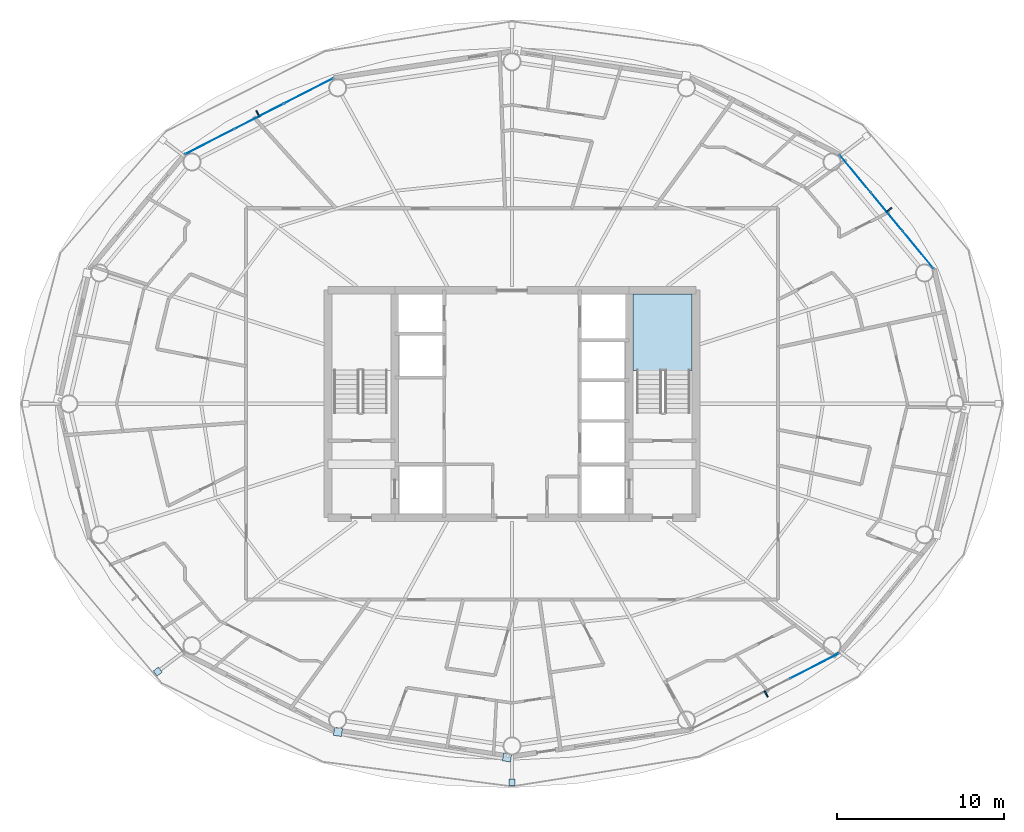
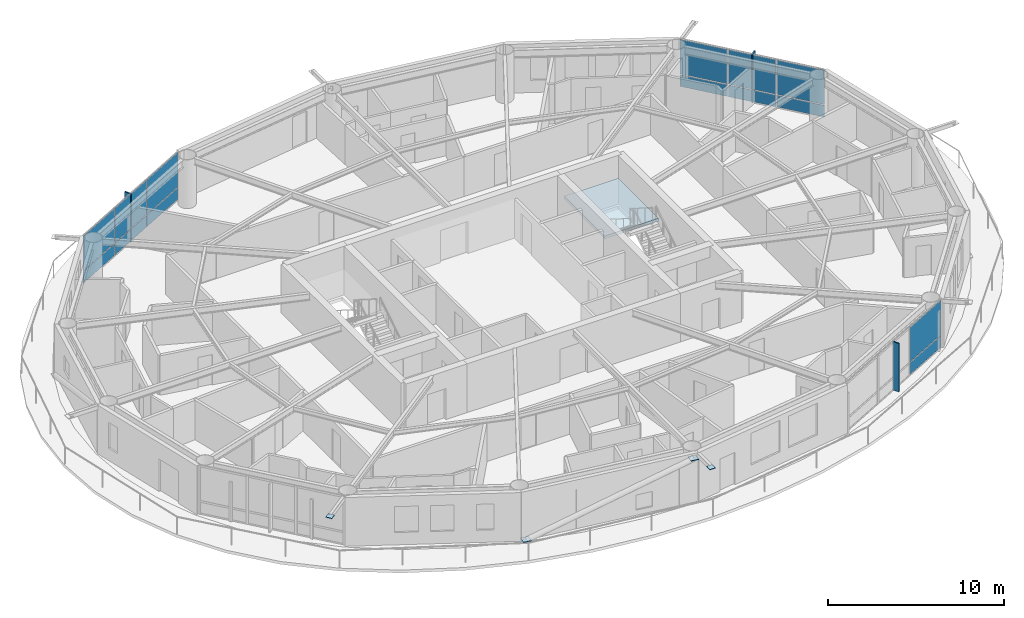
# One storey, part 19 of 30: 21 plates, 1 slab, 4 elements without a shape of their own.
"""IFC4 building model written with IfcOpenShell, lengths in metres."""

import ifcopenshell
import ifcopenshell.guid

model = None  # the IFC model being written
_history = None  # IfcOwnerHistory: only IFC2X3 demands one
_inside = {}  # id of a spatial element -> (the spatial element, [elements in it])
_under = {}  # id of a project, library or spatial element -> (it, [spatial elements below it])
_declared = {}  # id of a project -> (the project, [libraries it declares])
_typed = {}  # id of a type object -> (the type object, [elements of that type])
_made_of = {}  # id of a material, layer set ... -> (it, [elements and type objects made of it])


def new_model(schema):
    """Start an empty IFC model of exactly this schema.

    Asked for "IFC4X3", IfcOpenShell would pick the latest addendum, in which some entities
    have other attributes; the version numbers below select the first issue.
    IFC2X3 requires an IfcOwnerHistory on every rooted entity: one is made here for all.
    """
    global model, _history
    if schema == "IFC4X3":
        model = ifcopenshell.file(schema_version=(4, 3, 0, 0))
    else:
        model = ifcopenshell.file(schema=schema)
    _inside.clear()
    _under.clear()
    _declared.clear()
    _typed.clear()
    _made_of.clear()
    _history = None
    if model.schema == "IFC2X3":
        org = make("IfcOrganization", Name="unknown")
        user = make(
            "IfcPersonAndOrganization",
            ThePerson=make("IfcPerson", FamilyName="unknown"),
            TheOrganization=org,
        )
        app = make(
            "IfcApplication",
            ApplicationDeveloper=org,
            Version="unknown",
            ApplicationFullName="unknown",
            ApplicationIdentifier="unknown",
        )
        _history = make(
            "IfcOwnerHistory",
            OwningUser=user,
            OwningApplication=app,
            ChangeAction="ADDED",
            CreationDate=0,
        )
    return model


def make(cls, **values):
    """One entity of the class cls with the attributes given. An attribute that is None is left unset."""
    return model.create_entity(
        cls, **{name: value for name, value in values.items() if value is not None}
    )


def rooted(cls, **values):
    """An entity with a GlobalId (a new one), such as an element, a storey or a relation."""
    return make(cls, GlobalId=ifcopenshell.guid.new(), OwnerHistory=_history, **values)


def si_unit(unit_type, name, prefix=None):
    """IfcSIUnit, for example si_unit("LENGTHUNIT", "METRE", prefix="MILLI")."""
    return make("IfcSIUnit", UnitType=unit_type, Prefix=prefix, Name=name)


def assignment(units):
    """IfcUnitAssignment: the units of a project."""
    return None if units is None else make("IfcUnitAssignment", Units=units)


def point(xyz):
    """IfcCartesianPoint."""
    return None if xyz is None else make("IfcCartesianPoint", Coordinates=xyz)


def direction(xyz):
    """IfcDirection."""
    return None if xyz is None else make("IfcDirection", DirectionRatios=xyz)


def frame(location, z_axis=None, x_axis=None):
    """IfcAxis2Placement3D, a coordinate frame: its origin and axes. An axis left out is left unset."""
    return make(
        "IfcAxis2Placement3D",
        Location=point(location),
        Axis=direction(z_axis),
        RefDirection=direction(x_axis),
    )


def frame_2d(location, x_axis=None):
    """IfcAxis2Placement2D, a coordinate frame in the plane: its origin and x axis."""
    return make(
        "IfcAxis2Placement2D", Location=point(location), RefDirection=direction(x_axis)
    )


def origin():
    """The frame at (0, 0, 0) with its axes left unset."""
    return frame((0.0, 0.0, 0.0))


def origin_2d():
    """The frame at (0, 0) in the plane with its x axis left unset."""
    return frame_2d((0.0, 0.0))


def place(relative_to, where):
    """IfcLocalPlacement: puts the frame where relative to a parent placement (None: the world)."""
    return make(
        "IfcLocalPlacement", PlacementRelTo=relative_to, RelativePlacement=where
    )


def context(
    kind, dimensions, precision=None, world=None, true_north=None, identifier=None
):
    """IfcGeometricRepresentationContext, for example the 3D "Model" context."""
    return make(
        "IfcGeometricRepresentationContext",
        ContextIdentifier=identifier,
        ContextType=kind,
        CoordinateSpaceDimension=dimensions,
        Precision=precision,
        WorldCoordinateSystem=world,
        TrueNorth=true_north,
    )


def subcontext(parent, identifier, kind, view, scale=None):
    """IfcGeometricRepresentationSubContext, for example "Body" below "Model"."""
    return make(
        "IfcGeometricRepresentationSubContext",
        ContextIdentifier=identifier,
        ContextType=kind,
        ParentContext=parent,
        TargetScale=scale,
        TargetView=view,
    )


def project(units=None, contexts=None):
    """IfcProject with its units and contexts."""
    return rooted(
        "IfcProject",
        Name="project",
        RepresentationContexts=contexts,
        UnitsInContext=assignment(units),
    )


def spatial(cls, under=None, at=None, **own):
    """A site, building, storey or space (cls), placed at a placement, below another one or the project."""
    s = rooted(cls, ObjectPlacement=at, **own)
    if under is not None:
        _under.setdefault(under.id(), (under, []))[1].append(s)
    return s


def polyline(points):
    """IfcPolyline through the points."""
    return make("IfcPolyline", Points=[point(p) for p in points])


def profile(cls, at=None, kind="AREA", **sizes):
    """A parametric profile (cls). Its sizes go by their IFC names, for example OverallWidth=200.0."""
    return make(cls, ProfileType=kind, Position=at, **sizes)


def rectangle(**sizes):
    """IfcRectangleProfileDef."""
    return profile("IfcRectangleProfileDef", **sizes)


def outline(outer, holes=None, kind="AREA"):
    """IfcArbitraryClosedProfileDef: a profile drawn as a closed curve; with holes, ...WithVoids."""
    if holes is None:
        return make("IfcArbitraryClosedProfileDef", ProfileType=kind, OuterCurve=outer)
    return make(
        "IfcArbitraryProfileDefWithVoids",
        ProfileType=kind,
        OuterCurve=outer,
        InnerCurves=holes,
    )


def extrude(swept, where, along, depth):
    """IfcExtrudedAreaSolid: the profile swept, set in the frame where, extruded along a direction by depth."""
    return make(
        "IfcExtrudedAreaSolid",
        SweptArea=swept,
        Position=where,
        ExtrudedDirection=direction(along),
        Depth=depth,
    )


def shape(context_of_items, identifier, shape_type, items):
    """IfcShapeRepresentation: the items that make up one representation, for example the "Body"."""
    return make(
        "IfcShapeRepresentation",
        ContextOfItems=context_of_items,
        RepresentationIdentifier=identifier,
        RepresentationType=shape_type,
        Items=items,
    )


def material(Name=None, Category=None):
    """IfcMaterial."""
    return make("IfcMaterial", Name=Name, Category=Category)


def layer(
    of_material, thickness, ventilated=None, Name=None, Category=None, Priority=None
):
    """IfcMaterialLayer: one layer of a wall or slab, of a material (None: an air gap)."""
    return make(
        "IfcMaterialLayer",
        Material=of_material,
        LayerThickness=thickness,
        IsVentilated=ventilated,
        Name=Name,
        Category=Category,
        Priority=Priority,
    )


def layer_set(layers, Name=None):
    """IfcMaterialLayerSet."""
    return make("IfcMaterialLayerSet", MaterialLayers=layers, LayerSetName=Name)


def made_of(thing, what):
    """Note that an element or type object is made of a material, layer set ...; save() writes the relation."""
    if what is not None:
        _made_of.setdefault(what.id(), (what, []))[1].append(thing)
    return thing


def type_object(cls, material=None, **own):
    """A type object (cls), such as IfcWallType, which elements share."""
    return made_of(rooted(cls, **own), material)


def element(
    cls,
    number,
    at=None,
    inside=None,
    cuts=None,
    type_object=None,
    material=None,
    context=None,
    identifier="Body",
    shape_type=None,
    held_by="IfcProductDefinitionShape",
    body=None,
    shapes=None,
    **own,
):
    """One element of the class cls, such as IfcWall. Its Tag is "e" and its number.

    at: its placement. inside: the storey or other place that contains it. cuts: it is an
    opening in that element (IfcRelVoidsElement). A single representation is given by context,
    identifier, shape_type and body (its items); several are given by shapes. held_by: the class
    of the entity that holds the representations. save() writes the other relations.
    """
    e = rooted(cls, Tag="e%d" % number, ObjectPlacement=at, **own)
    if body is not None:
        shapes = [shape(context, identifier, shape_type, body)]
    if shapes is not None:
        e.Representation = make(held_by, Representations=shapes)
    if inside is not None:
        _inside.setdefault(inside.id(), (inside, []))[1].append(e)
    if cuts is not None:
        rooted(
            "IfcRelVoidsElement", RelatingBuildingElement=cuts, RelatedOpeningElement=e
        )
    if type_object is not None:
        _typed.setdefault(type_object.id(), (type_object, []))[1].append(e)
    return made_of(e, material)


def aggregate(whole, parts):
    """IfcRelAggregates: a whole, such as a stair, and the parts it consists of."""
    return rooted("IfcRelAggregates", RelatingObject=whole, RelatedObjects=parts)


def save(model, path):
    """Write the relations noted so far, then the file.

    IfcRelAggregates (storeys below a building ...), IfcRelContainedInSpatialStructure (elements
    in a storey), IfcRelDefinesByType, IfcRelAssociatesMaterial and IfcRelDeclares: one each for
    every whole, place, type object, material and project.
    """
    for whole, parts in _under.values():
        aggregate(whole, parts)
    for where, things in _inside.values():
        rooted(
            "IfcRelContainedInSpatialStructure",
            RelatedElements=things,
            RelatingStructure=where,
        )
    for kind, things in _typed.values():
        rooted("IfcRelDefinesByType", RelatedObjects=things, RelatingType=kind)
    for what, things in _made_of.values():
        rooted("IfcRelAssociatesMaterial", RelatedObjects=things, RelatingMaterial=what)
    for by, libraries in _declared.values():
        rooted("IfcRelDeclares", RelatingContext=by, RelatedDefinitions=libraries)
    model.write(path)


model = new_model("IFC4")

# Units and contexts
model_context = context("Model", 3, precision=1e-05, world=origin(), true_north=direction((0.0, 1.0)))
body_context = subcontext(model_context, "Body", "Model", "MODEL_VIEW")
ifc_project = project(units=[si_unit("LENGTHUNIT", "METRE"), si_unit("AREAUNIT", "SQUARE_METRE"), si_unit("VOLUMEUNIT", "CUBIC_METRE"), si_unit("PLANEANGLEUNIT", "RADIAN"), si_unit("MASSUNIT", "GRAM", prefix="KILO")], contexts=[model_context])

# Site, building, storey
site_placement = place(None, origin())
site = spatial("IfcSite", under=ifc_project, at=site_placement, CompositionType="ELEMENT")
building_placement = place(site_placement, origin())
building = spatial("IfcBuilding", under=site, at=building_placement, Name="Sarneth Arch Tower", CompositionType="ELEMENT")
storey_placement = place(building_placement, frame((0.0, 0.0, 168.60009765625)))
storey = spatial("IfcBuildingStorey", under=building, at=storey_placement, Name="L42", CompositionType="ELEMENT", Elevation=168.60009765625)

# Curtain wall, plates
ifc_material_1 = material(Name="Anodised aluminium Type AA25 and solar-control low-e laminated IGU", Category="aluminium")
ifc_layer_1 = layer(ifc_material_1, 0.169921875)
ifc_layer_set_1 = layer_set([ifc_layer_1], Name="Anodised aluminium Type AA25 and solar-control low-e laminated IGU")
curtain_wall_type = type_object("IfcCurtainWallType", Name="CW-RES-MID", PredefinedType="NOTDEFINED", material=ifc_layer_set_1)
curtain_wall_1_placement = place(storey_placement, origin())
curtain_wall_1 = element("IfcCurtainWall", 1, at=curtain_wall_1_placement, inside=storey, type_object=curtain_wall_type, Name="L42 Unitised curtain wall facet 02", PredefinedType="NOTDEFINED")
ifc_material_2 = material(Name="Solar-control low-e laminated IGU", Category="glass")
ifc_layer_2 = layer(ifc_material_2, 0.028076171875)
ifc_layer_set_2 = layer_set([ifc_layer_2], Name="Solar-control low-e laminated IGU")
plate_type_1 = type_object("IfcPlateType", Name="CW-PANEL", PredefinedType="CURTAIN_PANEL", material=ifc_layer_set_2)
plate_1_placement = place(storey_placement, frame((72.280029296875, 51.21826171875, 0.059814453125), z_axis=(0.0, 0.0, 1.0), x_axis=(-0.637330298558, 0.770590741276, 0.0)))
plate_1 = element("IfcPlate", 2, at=plate_1_placement, type_object=plate_type_1, Name="Curtain wall glazed vision pane CW-L42-F02/P00-00", PredefinedType="CURTAIN_PANEL", context=body_context, shape_type="SweptSolid", body=[
    extrude(rectangle(XDim=2.8681640625, YDim=0.028076171875, at=origin_2d()), origin(), (0.0, 0.0, 1.0), 0.81005859375),
])
plate_2_placement = place(storey_placement, frame((72.280029296875, 51.21826171875, 0.93017578125), z_axis=(0.0, 0.0, 1.0), x_axis=(-0.637330298558, 0.770590741276, 0.0)))
plate_2 = element("IfcPlate", 3, at=plate_2_placement, type_object=plate_type_1, Name="Curtain wall glazed vision pane CW-L42-F02/P00-01", PredefinedType="CURTAIN_PANEL", context=body_context, shape_type="SweptSolid", body=[
    extrude(rectangle(XDim=2.8681640625, YDim=0.028076171875, at=origin_2d()), origin(), (0.0, 0.0, 1.0), 2.389892578125),
])
plate_3_placement = place(storey_placement, frame((70.404296875, 53.486328125, 0.059814453125), z_axis=(0.0, 0.0, 1.0), x_axis=(-0.637330298558, 0.770590741276, 0.0)))
plate_3 = element("IfcPlate", 4, at=plate_3_placement, type_object=plate_type_1, Name="Curtain wall glazed vision pane CW-L42-F02/P01-00", PredefinedType="CURTAIN_PANEL", context=body_context, shape_type="SweptSolid", body=[
    extrude(rectangle(XDim=2.898193359375, YDim=0.028076171875, at=origin_2d()), origin(), (0.0, 0.0, 1.0), 0.81005859375),
])
plate_4_placement = place(storey_placement, frame((70.404296875, 53.486328125, 0.93017578125), z_axis=(0.0, 0.0, 1.0), x_axis=(-0.637330298558, 0.770590741276, 0.0)))
plate_4 = element("IfcPlate", 5, at=plate_4_placement, type_object=plate_type_1, Name="Curtain wall glazed vision pane CW-L42-F02/P01-01", PredefinedType="CURTAIN_PANEL", context=body_context, shape_type="SweptSolid", body=[
    extrude(rectangle(XDim=2.898193359375, YDim=0.028076171875, at=origin_2d()), origin(), (0.0, 0.0, 1.0), 2.389892578125),
])
plate_5_placement = place(storey_placement, frame((68.5283203125, 55.75439453125, 0.059814453125), z_axis=(0.0, 0.0, 1.0), x_axis=(-0.637330298558, 0.770590741276, 0.0)))
plate_5 = element("IfcPlate", 6, at=plate_5_placement, type_object=plate_type_1, Name="Curtain wall glazed vision pane CW-L42-F02/P02-00", PredefinedType="CURTAIN_PANEL", context=body_context, shape_type="SweptSolid", body=[
    extrude(rectangle(XDim=2.8681640625, YDim=0.028076171875, at=origin_2d()), origin(), (0.0, 0.0, 1.0), 0.81005859375),
])
plate_6_placement = place(storey_placement, frame((68.5283203125, 55.75439453125, 0.93017578125), z_axis=(0.0, 0.0, 1.0), x_axis=(-0.637330298558, 0.770590741276, 0.0)))
plate_6 = element("IfcPlate", 7, at=plate_6_placement, type_object=plate_type_1, Name="Curtain wall glazed vision pane CW-L42-F02/P02-01", PredefinedType="CURTAIN_PANEL", context=body_context, shape_type="SweptSolid", body=[
    extrude(rectangle(XDim=2.8681640625, YDim=0.028076171875, at=origin_2d()), origin(), (0.0, 0.0, 1.0), 2.389892578125),
])
aggregate(curtain_wall_1, [plate_1, plate_2, plate_3, plate_4, plate_5, plate_6])

curtain_wall_2_placement = place(storey_placement, origin())
curtain_wall_2 = element("IfcCurtainWall", 8, at=curtain_wall_2_placement, inside=storey, type_object=curtain_wall_type, Name="L42 Unitised curtain wall facet 06", PredefinedType="NOTDEFINED")
plate_7_placement = place(storey_placement, frame((35.83837890625, 60.70703125, 0.059814453125), z_axis=(0.0, 0.0, 1.0), x_axis=(-0.88987293003, -0.456208470329, 0.0)))
plate_7 = element("IfcPlate", 9, at=plate_7_placement, type_object=plate_type_1, Name="Curtain wall glazed vision pane CW-L42-F06/P00-00", PredefinedType="CURTAIN_PANEL", context=body_context, shape_type="SweptSolid", body=[
    extrude(rectangle(XDim=3.248779296875, YDim=0.028076171875, at=origin_2d()), origin(), (0.0, 0.0, 1.0), 0.81005859375),
])
plate_8_placement = place(storey_placement, frame((35.83837890625, 60.70703125, 0.93017578125), z_axis=(0.0, 0.0, 1.0), x_axis=(-0.88987293003, -0.456208470329, 0.0)))
plate_8 = element("IfcPlate", 10, at=plate_8_placement, type_object=plate_type_1, Name="Curtain wall glazed vision pane CW-L42-F06/P00-01", PredefinedType="CURTAIN_PANEL", context=body_context, shape_type="SweptSolid", body=[
    extrude(rectangle(XDim=3.248779296875, YDim=0.028076171875, at=origin_2d()), origin(), (0.0, 0.0, 1.0), 2.389892578125),
])
plate_9_placement = place(storey_placement, frame((32.880615234375, 59.190673828125, 0.059814453125), z_axis=(0.0, 0.0, 1.0), x_axis=(-0.88987293003, -0.456208470329, 0.0)))
plate_9 = element("IfcPlate", 11, at=plate_9_placement, type_object=plate_type_1, Name="Curtain wall glazed vision pane CW-L42-F06/P01-00", PredefinedType="CURTAIN_PANEL", context=body_context, shape_type="SweptSolid", body=[
    extrude(rectangle(XDim=3.27880859375, YDim=0.028076171875, at=origin_2d()), origin(), (0.0, 0.0, 1.0), 0.81005859375),
])
plate_10_placement = place(storey_placement, frame((32.880615234375, 59.190673828125, 0.93017578125), z_axis=(0.0, 0.0, 1.0), x_axis=(-0.88987293003, -0.456208470329, 0.0)))
plate_10 = element("IfcPlate", 12, at=plate_10_placement, type_object=plate_type_1, Name="Curtain wall glazed vision pane CW-L42-F06/P01-01", PredefinedType="CURTAIN_PANEL", context=body_context, shape_type="SweptSolid", body=[
    extrude(rectangle(XDim=3.27880859375, YDim=0.028076171875, at=origin_2d()), origin(), (0.0, 0.0, 1.0), 2.389892578125),
])
plate_11_placement = place(storey_placement, frame((29.9228515625, 57.67431640625, 0.059814453125), z_axis=(0.0, 0.0, 1.0), x_axis=(-0.88987293003, -0.456208470329, 0.0)))
plate_11 = element("IfcPlate", 13, at=plate_11_placement, type_object=plate_type_1, Name="Curtain wall glazed vision pane CW-L42-F06/P02-00", PredefinedType="CURTAIN_PANEL", context=body_context, shape_type="SweptSolid", body=[
    extrude(rectangle(XDim=3.248779296875, YDim=0.028076171875, at=origin_2d()), origin(), (0.0, 0.0, 1.0), 0.81005859375),
])
plate_12_placement = place(storey_placement, frame((29.9228515625, 57.67431640625, 0.93017578125), z_axis=(0.0, 0.0, 1.0), x_axis=(-0.88987293003, -0.456208470329, 0.0)))
plate_12 = element("IfcPlate", 14, at=plate_12_placement, type_object=plate_type_1, Name="Curtain wall glazed vision pane CW-L42-F06/P02-01", PredefinedType="CURTAIN_PANEL", context=body_context, shape_type="SweptSolid", body=[
    extrude(rectangle(XDim=3.248779296875, YDim=0.028076171875, at=origin_2d()), origin(), (0.0, 0.0, 1.0), 2.389892578125),
])
aggregate(curtain_wall_2, [plate_7, plate_8, plate_9, plate_10, plate_11, plate_12])

curtain_wall_3_placement = place(storey_placement, origin())
curtain_wall_3 = element("IfcCurtainWall", 15, at=curtain_wall_3_placement, inside=storey, type_object=curtain_wall_type, Name="L42 Unitised curtain wall facet 14", PredefinedType="NOTDEFINED")
plate_13_placement = place(storey_placement, frame((66.0771484375, 26.32568359375, 0.059814453125), z_axis=(0.0, 0.0, 1.0), x_axis=(0.88987293003, 0.456208470329, 0.0)))
plate_13 = element("IfcPlate", 16, at=plate_13_placement, type_object=plate_type_1, Name="Curtain wall glazed vision pane CW-L42-F14/P02-00", PredefinedType="CURTAIN_PANEL", context=body_context, shape_type="SweptSolid", body=[
    extrude(rectangle(XDim=3.248779296875, YDim=0.028076171875, at=origin_2d()), origin(), (0.0, 0.0, 1.0), 0.81005859375),
])
plate_14_placement = place(storey_placement, frame((66.0771484375, 26.32568359375, 0.93017578125), z_axis=(0.0, 0.0, 1.0), x_axis=(0.88987293003, 0.456208470329, 0.0)))
plate_14 = element("IfcPlate", 17, at=plate_14_placement, type_object=plate_type_1, Name="Curtain wall glazed vision pane CW-L42-F14/P02-01", PredefinedType="CURTAIN_PANEL", context=body_context, shape_type="SweptSolid", body=[
    extrude(rectangle(XDim=3.248779296875, YDim=0.028076171875, at=origin_2d()), origin(), (0.0, 0.0, 1.0), 2.389892578125),
])
aggregate(curtain_wall_3, [plate_13, plate_14])

# Plates
ifc_material_3 = material(Name="Steel S355", Category="steel")
ifc_layer_3 = layer(ifc_material_3, 0.035888671875)
ifc_layer_set_3 = layer_set([ifc_layer_3], Name="Steel S355")
plate_type_2 = type_object("IfcPlateType", Name="PLT-GUSSET-30", PredefinedType="SHEET", material=ifc_layer_set_3)
plate_15_placement = place(storey_placement, frame((26.819091796875, 25.992431640625, 3.2021484375), z_axis=(0.0, 0.0, 1.0), x_axis=(-0.797794439539, -0.602929541689, 0.0)))
element("IfcPlate", 18, at=plate_15_placement, inside=storey, type_object=plate_type_2, Name="Steel end cap plate GP-1", PredefinedType="SHEET", context=body_context, shape_type="SweptSolid", body=[
    extrude(rectangle(XDim=0.3798828125, YDim=0.3798828125, at=origin_2d()), origin(), (0.0, 0.0, 1.0), 0.035888671875),
])
for number, where, z_axis, x_axis, name in (
    (19, (37.595703125, 22.387451171875, 0.001953125), (0.0, 0.0, 1.0), (0.98883454203, -0.149017611339, 0.0), "Steel end cap plate GP-1"),
    (20, (47.703369140625, 20.86474609375, 3.03271484375), (0.0, 0.0, 1.0), (0.98883454203, -0.149017611339, 0.0), "Steel end cap plate GP-1"),
):
    element("IfcPlate", number, at=place(storey_placement, frame(where, z_axis=z_axis, x_axis=x_axis)), inside=storey, type_object=plate_type_2, Name=name, PredefinedType="SHEET", context=body_context, shape_type="SweptSolid", body=[
        extrude(rectangle(XDim=0.486083984375, YDim=0.486083984375, at=origin_2d()), origin(), (0.0, 0.0, 1.0), 0.035888671875),
    ])
plate_16_placement = place(storey_placement, frame((48.0, 19.372802734375, 3.2021484375), z_axis=(0.0, 0.0, 1.0), x_axis=(0.0, -1.0, 0.0)))
element("IfcPlate", 21, at=plate_16_placement, inside=storey, type_object=plate_type_2, Name="Steel end cap plate GP-1", PredefinedType="SHEET", context=body_context, shape_type="SweptSolid", body=[
    extrude(rectangle(XDim=0.3798828125, YDim=0.3798828125, at=origin_2d()), origin(), (0.0, 0.0, 1.0), 0.035888671875),
])
ifc_material_4 = material(Name="Extruded glazed terracotta baguette fin on Aluminium 6063-T6 carrier", Category="masonry")
ifc_layer_4 = layer(ifc_material_4, 0.080078125)
ifc_layer_set_4 = layer_set([ifc_layer_4], Name="Extruded glazed terracotta baguette fin on Aluminium 6063-T6 carrier")
plate_type_3 = type_object("IfcPlateType", Name="SHADE-TERRA-FIN", PredefinedType="SHEET", material=ifc_layer_set_4)
for number, where, z_axis, x_axis, name in (
    (22, (70.53515625, 53.5947265625, 0.009765625), (0.0, 0.0, 1.0), (0.770624482513, 0.637289500111, 0.0), "L42 Terracotta vertical shading fin 02"),
    (23, (32.802978515625, 59.341796875, 0.009765625), (0.0, 0.0, 1.0), (-0.456166281949, 0.889894557357, 0.0), "L42 Terracotta vertical shading fin 06"),
    (24, (63.197021484375, 24.658203125, 0.009765625), (0.0, 0.0, 1.0), (0.456166281949, -0.889894557357, 0.0), "L42 Terracotta vertical shading fin 14"),
):
    element("IfcPlate", number, at=place(storey_placement, frame(where, z_axis=z_axis, x_axis=x_axis)), inside=storey, type_object=plate_type_3, Name=name, PredefinedType="SHEET", context=body_context, shape_type="SweptSolid", body=[
        extrude(rectangle(XDim=0.419921875, YDim=0.080078125, at=origin_2d()), origin(), (0.0, 0.0, 1.0), 3.360107421875),
    ])

# Stair, slab
ifc_material_5 = material(Name="Concrete C50/60", Category="concrete")
stair_type = type_object("IfcStairType", Name="STAIR-CORE-RC", PredefinedType="HALF_TURN_STAIR", material=ifc_material_5)
stair_placement = place(storey_placement, origin())
stair = element("IfcStair", 25, at=stair_placement, inside=storey, type_object=stair_type, Name="L42 Core Exit Stair 2", PredefinedType="HALF_TURN_STAIR")
ifc_material_6 = material(Name="Concrete C50/60", Category="concrete")
ifc_layer_5 = layer(ifc_material_6, 0.199951171875)
ifc_layer_set_5 = layer_set([ifc_layer_5], Name="Concrete C50/60")
slab_type = type_object("IfcSlabType", Name="SLAB-LANDING-200", PredefinedType="LANDING", material=ifc_layer_set_5)
slab_placement = place(storey_placement, frame((0.0, 0.0, 1.599853515625)))
slab = element("IfcSlab", 26, at=slab_placement, type_object=slab_type, Name="ST-2 landing 1", PredefinedType="LANDING", context=body_context, shape_type="SweptSolid", body=[
    extrude(outline(polyline([(55.22509765625, 43.985107421875), (58.77490234375, 43.985107421875), (58.77490234375, 48.574951171875), (55.22509765625, 48.574951171875), (55.22509765625, 43.985107421875)])), origin(), (0.0, 0.0, 1.0), 0.199951171875),
])
aggregate(stair, [slab])

save(model, "model.ifc")
